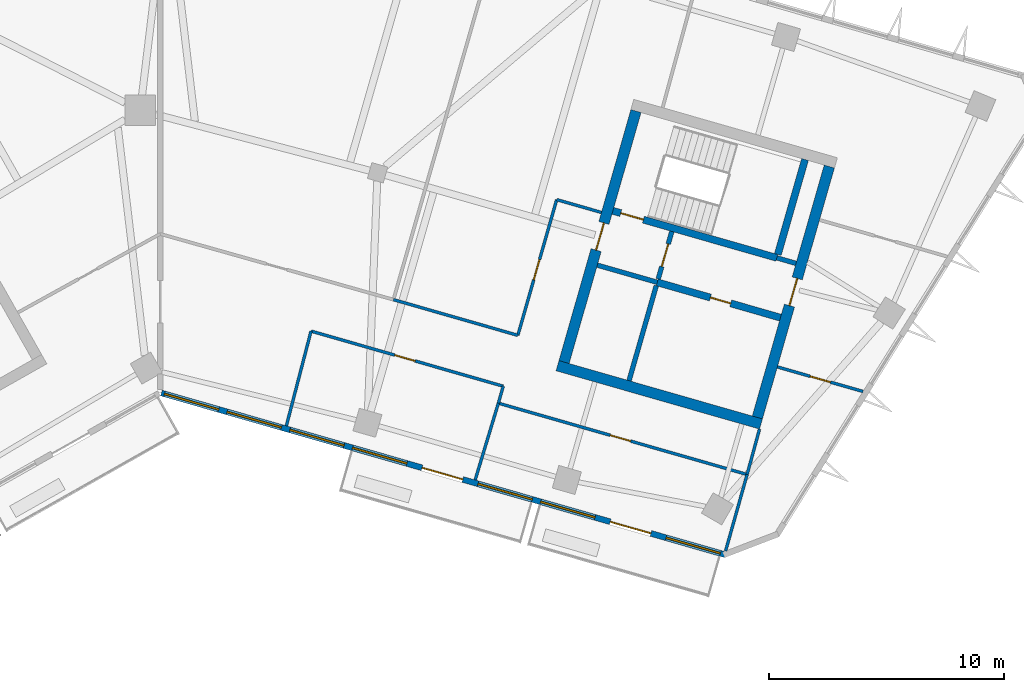
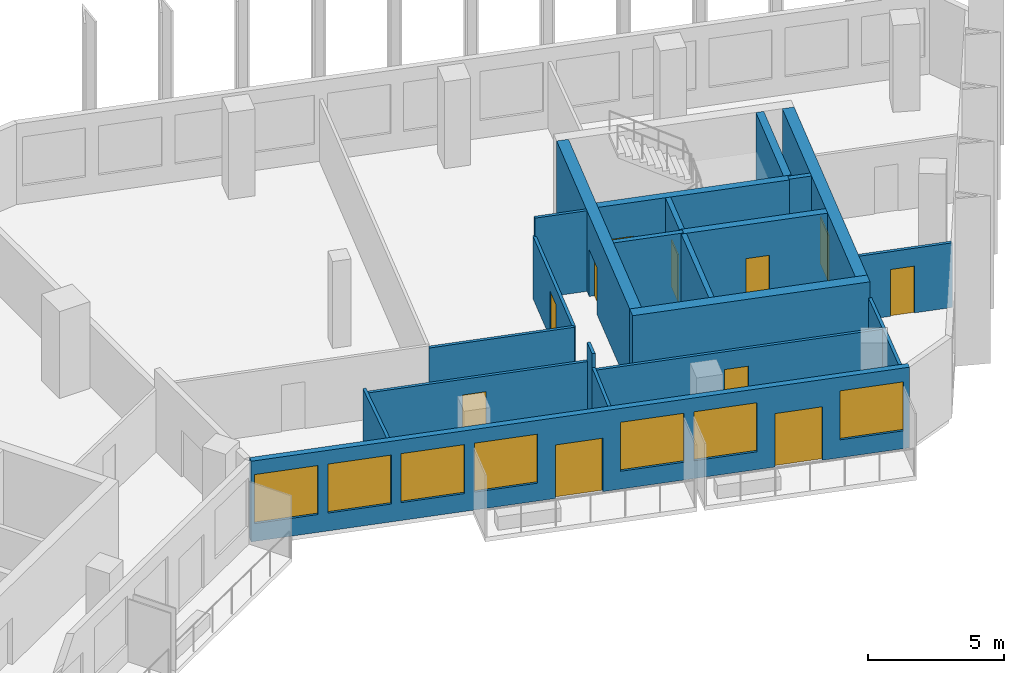
# One storey, part 7 of 12: 22 walls, 11 doors, 7 windows, 18 openings.
"""IFC4 building model written with IfcOpenShell, lengths in metres."""

import ifcopenshell
import ifcopenshell.guid

model = None  # the IFC model being written
_history = None  # IfcOwnerHistory: only IFC2X3 demands one
_inside = {}  # id of a spatial element -> (the spatial element, [elements in it])
_under = {}  # id of a project, library or spatial element -> (it, [spatial elements below it])
_declared = {}  # id of a project -> (the project, [libraries it declares])
_typed = {}  # id of a type object -> (the type object, [elements of that type])
_made_of = {}  # id of a material, layer set ... -> (it, [elements and type objects made of it])


def new_model(schema):
    """Start an empty IFC model of exactly this schema.

    Asked for "IFC4X3", IfcOpenShell would pick the latest addendum, in which some entities
    have other attributes; the version numbers below select the first issue.
    IFC2X3 requires an IfcOwnerHistory on every rooted entity: one is made here for all.
    """
    global model, _history
    if schema == "IFC4X3":
        model = ifcopenshell.file(schema_version=(4, 3, 0, 0))
    else:
        model = ifcopenshell.file(schema=schema)
    _inside.clear()
    _under.clear()
    _declared.clear()
    _typed.clear()
    _made_of.clear()
    _history = None
    if model.schema == "IFC2X3":
        org = make("IfcOrganization", Name="unknown")
        user = make(
            "IfcPersonAndOrganization",
            ThePerson=make("IfcPerson", FamilyName="unknown"),
            TheOrganization=org,
        )
        app = make(
            "IfcApplication",
            ApplicationDeveloper=org,
            Version="unknown",
            ApplicationFullName="unknown",
            ApplicationIdentifier="unknown",
        )
        _history = make(
            "IfcOwnerHistory",
            OwningUser=user,
            OwningApplication=app,
            ChangeAction="ADDED",
            CreationDate=0,
        )
    return model


def make(cls, **values):
    """One entity of the class cls with the attributes given. An attribute that is None is left unset."""
    return model.create_entity(
        cls, **{name: value for name, value in values.items() if value is not None}
    )


def rooted(cls, **values):
    """An entity with a GlobalId (a new one), such as an element, a storey or a relation."""
    return make(cls, GlobalId=ifcopenshell.guid.new(), OwnerHistory=_history, **values)


def si_unit(unit_type, name, prefix=None):
    """IfcSIUnit, for example si_unit("LENGTHUNIT", "METRE", prefix="MILLI")."""
    return make("IfcSIUnit", UnitType=unit_type, Prefix=prefix, Name=name)


def assignment(units):
    """IfcUnitAssignment: the units of a project."""
    return None if units is None else make("IfcUnitAssignment", Units=units)


def point(xyz):
    """IfcCartesianPoint."""
    return None if xyz is None else make("IfcCartesianPoint", Coordinates=xyz)


def direction(xyz):
    """IfcDirection."""
    return None if xyz is None else make("IfcDirection", DirectionRatios=xyz)


def frame(location, z_axis=None, x_axis=None):
    """IfcAxis2Placement3D, a coordinate frame: its origin and axes. An axis left out is left unset."""
    return make(
        "IfcAxis2Placement3D",
        Location=point(location),
        Axis=direction(z_axis),
        RefDirection=direction(x_axis),
    )


def frame_2d(location, x_axis=None):
    """IfcAxis2Placement2D, a coordinate frame in the plane: its origin and x axis."""
    return make(
        "IfcAxis2Placement2D", Location=point(location), RefDirection=direction(x_axis)
    )


def origin():
    """The frame at (0, 0, 0) with its axes left unset."""
    return frame((0.0, 0.0, 0.0))


def place(relative_to, where):
    """IfcLocalPlacement: puts the frame where relative to a parent placement (None: the world)."""
    return make(
        "IfcLocalPlacement", PlacementRelTo=relative_to, RelativePlacement=where
    )


def context(
    kind, dimensions, precision=None, world=None, true_north=None, identifier=None
):
    """IfcGeometricRepresentationContext, for example the 3D "Model" context."""
    return make(
        "IfcGeometricRepresentationContext",
        ContextIdentifier=identifier,
        ContextType=kind,
        CoordinateSpaceDimension=dimensions,
        Precision=precision,
        WorldCoordinateSystem=world,
        TrueNorth=true_north,
    )


def subcontext(parent, identifier, kind, view, scale=None):
    """IfcGeometricRepresentationSubContext, for example "Body" below "Model"."""
    return make(
        "IfcGeometricRepresentationSubContext",
        ContextIdentifier=identifier,
        ContextType=kind,
        ParentContext=parent,
        TargetScale=scale,
        TargetView=view,
    )


def project(units=None, contexts=None):
    """IfcProject with its units and contexts."""
    return rooted(
        "IfcProject",
        Name="project",
        RepresentationContexts=contexts,
        UnitsInContext=assignment(units),
    )


def spatial(cls, under=None, at=None, **own):
    """A site, building, storey or space (cls), placed at a placement, below another one or the project."""
    s = rooted(cls, ObjectPlacement=at, **own)
    if under is not None:
        _under.setdefault(under.id(), (under, []))[1].append(s)
    return s


def profile(cls, at=None, kind="AREA", **sizes):
    """A parametric profile (cls). Its sizes go by their IFC names, for example OverallWidth=200.0."""
    return make(cls, ProfileType=kind, Position=at, **sizes)


def rectangle(**sizes):
    """IfcRectangleProfileDef."""
    return profile("IfcRectangleProfileDef", **sizes)


def extrude(swept, where, along, depth):
    """IfcExtrudedAreaSolid: the profile swept, set in the frame where, extruded along a direction by depth."""
    return make(
        "IfcExtrudedAreaSolid",
        SweptArea=swept,
        Position=where,
        ExtrudedDirection=direction(along),
        Depth=depth,
    )


def shape(context_of_items, identifier, shape_type, items):
    """IfcShapeRepresentation: the items that make up one representation, for example the "Body"."""
    return make(
        "IfcShapeRepresentation",
        ContextOfItems=context_of_items,
        RepresentationIdentifier=identifier,
        RepresentationType=shape_type,
        Items=items,
    )


def material(Name=None, Category=None):
    """IfcMaterial."""
    return make("IfcMaterial", Name=Name, Category=Category)


def layer(
    of_material, thickness, ventilated=None, Name=None, Category=None, Priority=None
):
    """IfcMaterialLayer: one layer of a wall or slab, of a material (None: an air gap)."""
    return make(
        "IfcMaterialLayer",
        Material=of_material,
        LayerThickness=thickness,
        IsVentilated=ventilated,
        Name=Name,
        Category=Category,
        Priority=Priority,
    )


def layer_set(layers, Name=None):
    """IfcMaterialLayerSet."""
    return make("IfcMaterialLayerSet", MaterialLayers=layers, LayerSetName=Name)


def made_of(thing, what):
    """Note that an element or type object is made of a material, layer set ...; save() writes the relation."""
    if what is not None:
        _made_of.setdefault(what.id(), (what, []))[1].append(thing)
    return thing


def type_object(cls, material=None, **own):
    """A type object (cls), such as IfcWallType, which elements share."""
    return made_of(rooted(cls, **own), material)


def element(
    cls,
    number,
    at=None,
    inside=None,
    cuts=None,
    type_object=None,
    material=None,
    context=None,
    identifier="Body",
    shape_type=None,
    held_by="IfcProductDefinitionShape",
    body=None,
    shapes=None,
    **own,
):
    """One element of the class cls, such as IfcWall. Its Tag is "e" and its number.

    at: its placement. inside: the storey or other place that contains it. cuts: it is an
    opening in that element (IfcRelVoidsElement). A single representation is given by context,
    identifier, shape_type and body (its items); several are given by shapes. held_by: the class
    of the entity that holds the representations. save() writes the other relations.
    """
    e = rooted(cls, Tag="e%d" % number, ObjectPlacement=at, **own)
    if body is not None:
        shapes = [shape(context, identifier, shape_type, body)]
    if shapes is not None:
        e.Representation = make(held_by, Representations=shapes)
    if inside is not None:
        _inside.setdefault(inside.id(), (inside, []))[1].append(e)
    if cuts is not None:
        rooted(
            "IfcRelVoidsElement", RelatingBuildingElement=cuts, RelatedOpeningElement=e
        )
    if type_object is not None:
        _typed.setdefault(type_object.id(), (type_object, []))[1].append(e)
    return made_of(e, material)


def fill(opening, filler):
    """IfcRelFillsElement: the door or window that sits in an opening."""
    return rooted(
        "IfcRelFillsElement",
        RelatingOpeningElement=opening,
        RelatedBuildingElement=filler,
    )


def aggregate(whole, parts):
    """IfcRelAggregates: a whole, such as a stair, and the parts it consists of."""
    return rooted("IfcRelAggregates", RelatingObject=whole, RelatedObjects=parts)


def save(model, path):
    """Write the relations noted so far, then the file.

    IfcRelAggregates (storeys below a building ...), IfcRelContainedInSpatialStructure (elements
    in a storey), IfcRelDefinesByType, IfcRelAssociatesMaterial and IfcRelDeclares: one each for
    every whole, place, type object, material and project.
    """
    for whole, parts in _under.values():
        aggregate(whole, parts)
    for where, things in _inside.values():
        rooted(
            "IfcRelContainedInSpatialStructure",
            RelatedElements=things,
            RelatingStructure=where,
        )
    for kind, things in _typed.values():
        rooted("IfcRelDefinesByType", RelatedObjects=things, RelatingType=kind)
    for what, things in _made_of.values():
        rooted("IfcRelAssociatesMaterial", RelatedObjects=things, RelatingMaterial=what)
    for by, libraries in _declared.values():
        rooted("IfcRelDeclares", RelatingContext=by, RelatedDefinitions=libraries)
    model.write(path)


model = new_model("IFC4")

# Units and contexts
model_context = context("Model", 3, precision=1e-05, world=origin(), true_north=direction((0.0, 1.0)))
body_context = subcontext(model_context, "Body", "Model", "MODEL_VIEW")
ifc_project = project(units=[si_unit("LENGTHUNIT", "METRE"), si_unit("AREAUNIT", "SQUARE_METRE"), si_unit("VOLUMEUNIT", "CUBIC_METRE"), si_unit("PLANEANGLEUNIT", "RADIAN"), si_unit("MASSUNIT", "GRAM", prefix="KILO")], contexts=[model_context])

# Site, building, storey
site_placement = place(None, origin())
site = spatial("IfcSite", under=ifc_project, at=site_placement, CompositionType="ELEMENT")
building_placement = place(site_placement, origin())
building = spatial("IfcBuilding", under=site, at=building_placement, Name="Binnacle Exchange Tower", CompositionType="ELEMENT")
storey_placement = place(building_placement, frame((0.0, 0.0, 215.300048828125)))
storey = spatial("IfcBuildingStorey", under=building, at=storey_placement, Name="L47", CompositionType="ELEMENT", Elevation=215.300048828125)

# Wall, opening, door
ifc_material_1 = material(Name="Concrete C70/85", Category="concrete")
ifc_layer_1 = layer(ifc_material_1, 0.300048828125)
ifc_layer_set_1 = layer_set([ifc_layer_1], Name="Core wall - front 300")
wall_type_1 = type_object("IfcWallType", Name="Core wall - front 300", PredefinedType="SOLIDWALL", material=ifc_layer_set_1)
wall_1_placement = place(storey_placement, frame((21.130859375, 52.6923828125, 0.0), z_axis=(0.0, 0.0, 1.0), x_axis=(0.961261488075, -0.275638080722, 0.0)))
wall_1 = element("IfcWall", 1, at=wall_1_placement, inside=storey, type_object=wall_type_1, Name="Core wall CRWD3", PredefinedType="SOLIDWALL", context=body_context, shape_type="SweptSolid", body=[
    extrude(rectangle(XDim=5.449951171875, YDim=0.300048828125, at=frame_2d((2.72509765625, 0.0))), origin(), (0.0, 0.0, 1.0), 3.619873046875),
])
opening_1_placement = place(wall_1_placement, frame((2.35009765625, 0.0, 0.0)))
opening_1 = element("IfcOpeningElement", 2, at=opening_1_placement, cuts=wall_1, Name="Opening DD10", PredefinedType="OPENING", context=body_context, shape_type="SweptSolid", body=[
    extrude(rectangle(XDim=0.89990234375, YDim=2.10009765625, at=frame_2d((0.449951171875, 1.050048828125))), frame((0.0, 0.159912109375, 0.0), z_axis=(0.0, -1.0, 0.0), x_axis=(1.0, 0.0, 0.0)), (0.0, 0.0, 1.0), 0.320068359375),
])
ifc_material_2 = material(Name="Steel door leaf", Category="steel")
door_type_1 = type_object("IfcDoorType", Name="Fire door 900", OperationType="NOTDEFINED", PredefinedType="DOOR", material=ifc_material_2)
door_1_placement = place(opening_1_placement, frame((0.89990234375, 0.0, 0.0), z_axis=(0.0, 0.0, 1.0), x_axis=(-1.0, 0.0, 0.0)))
door_1 = element("IfcDoor", 3, at=door_1_placement, inside=storey, type_object=door_type_1, Name="Core room door PANTRY", OperationType="SINGLE_SWING_LEFT", OverallHeight=2.10009765625, OverallWidth=0.89990234375, PredefinedType="DOOR", context=body_context, shape_type="SweptSolid", body=[
    extrude(rectangle(XDim=0.89990234375, YDim=2.10009765625, at=frame_2d((0.449951171875, 1.050048828125))), frame((0.0, 0.02490234375, 0.0), z_axis=(0.0, -1.0, 0.0), x_axis=(1.0, 0.0, 0.0)), (0.0, 0.0, 1.0), 0.050048828125),
])
fill(opening_1, door_1)

# Wall
ifc_layer_2 = layer(ifc_material_1, 0.449951171875)
ifc_layer_set_2 = layer_set([ifc_layer_2], Name="Core wall - outer 450")
wall_type_2 = type_object("IfcWallType", Name="Core wall - outer 450", PredefinedType="SOLIDWALL", material=ifc_layer_set_2)
wall_2_placement = place(storey_placement, frame((16.889892578125, 49.149169921875, 0.0), z_axis=(0.0, 0.0, 1.0), x_axis=(0.96126248289, -0.275634611374, 0.0)))
element("IfcWall", 4, at=wall_2_placement, inside=storey, type_object=wall_type_2, Name="Core wall CRWD1", PredefinedType="SOLIDWALL", context=body_context, shape_type="SweptSolid", body=[
    extrude(rectangle(XDim=9.0, YDim=0.449951171875, at=frame_2d((4.5, 0.0))), origin(), (0.0, 0.0, 1.0), 3.619873046875),
])

# Wall, opening, door
wall_3_placement = place(storey_placement, frame((17.168212890625, 49.303466796875, 0.0), z_axis=(0.0, 0.0, 1.0), x_axis=(0.275638974822, 0.961261231695, 0.0)))
wall_3 = element("IfcWall", 5, at=wall_3_placement, inside=storey, type_object=wall_type_2, Name="Core wall CRWD7", PredefinedType="SOLIDWALL", context=body_context, shape_type="SweptSolid", body=[
    extrude(rectangle(XDim=11.099853515625, YDim=0.449951171875, at=frame_2d((5.5498046875, 0.0))), origin(), (0.0, 0.0, 1.0), 3.619873046875),
])
opening_2_placement = place(wall_3_placement, frame((4.9501953125, 0.0, 0.0)))
opening_2 = element("IfcOpeningElement", 6, at=opening_2_placement, cuts=wall_3, Name="Opening DD5", PredefinedType="OPENING", context=body_context, shape_type="SweptSolid", body=[
    extrude(rectangle(XDim=1.199951171875, YDim=2.10009765625, at=frame_2d((0.60009765625, 1.050048828125))), frame((0.0, 0.23486328125, 0.0), z_axis=(0.0, -1.0, 0.0), x_axis=(1.0, 0.0, 0.0)), (0.0, 0.0, 1.0), 0.469970703125),
])
door_type_2 = type_object("IfcDoorType", Name="Fire door 1200", OperationType="NOTDEFINED", PredefinedType="DOOR", material=ifc_material_2)
door_2_placement = place(opening_2_placement, origin())
door_2 = element("IfcDoor", 7, at=door_2_placement, inside=storey, type_object=door_type_2, Name="Vestibule exit door VEST-W", OperationType="SINGLE_SWING_RIGHT", OverallHeight=2.10009765625, OverallWidth=1.199951171875, PredefinedType="DOOR", context=body_context, shape_type="SweptSolid", body=[
    extrude(rectangle(XDim=1.199951171875, YDim=2.10009765625, at=frame_2d((0.60009765625, 1.050048828125))), frame((0.0, 0.02490234375, 0.0), z_axis=(0.0, -1.0, 0.0), x_axis=(1.0, 0.0, 0.0)), (0.0, 0.0, 1.0), 0.050048828125),
])
fill(opening_2, door_2)

wall_4_placement = place(storey_placement, frame((25.386962890625, 46.94677734375, 0.0), z_axis=(0.0, 0.0, 1.0), x_axis=(0.275638974822, 0.961261231695, 0.0)))
wall_4 = element("IfcWall", 8, at=wall_4_placement, inside=storey, type_object=wall_type_2, Name="Core wall CRWD12", PredefinedType="SOLIDWALL", context=body_context, shape_type="SweptSolid", body=[
    extrude(rectangle(XDim=11.099853515625, YDim=0.449951171875, at=frame_2d((5.5498046875, 0.0))), origin(), (0.0, 0.0, 1.0), 3.619873046875),
])
opening_3_placement = place(wall_4_placement, frame((4.949951171875, 0.0, 0.0)))
opening_3 = element("IfcOpeningElement", 9, at=opening_3_placement, cuts=wall_4, Name="Opening DD6", PredefinedType="OPENING", context=body_context, shape_type="SweptSolid", body=[
    extrude(rectangle(XDim=1.199951171875, YDim=2.10009765625, at=frame_2d((0.60009765625, 1.050048828125))), frame((0.0, 0.23486328125, 0.0), z_axis=(0.0, -1.0, 0.0), x_axis=(1.0, 0.0, 0.0)), (0.0, 0.0, 1.0), 0.469970703125),
])
door_3_placement = place(opening_3_placement, frame((1.199951171875, 0.0, 0.0), z_axis=(0.0, 0.0, 1.0), x_axis=(-1.0, 0.0, 0.0)))
door_3 = element("IfcDoor", 10, at=door_3_placement, inside=storey, type_object=door_type_2, Name="Core passage exit door", OperationType="SINGLE_SWING_RIGHT", OverallHeight=2.10009765625, OverallWidth=1.199951171875, PredefinedType="DOOR", context=body_context, shape_type="SweptSolid", body=[
    extrude(rectangle(XDim=1.199951171875, YDim=2.10009765625, at=frame_2d((0.60009765625, 1.050048828125))), frame((0.0, 0.02490234375, 0.0), z_axis=(0.0, -1.0, 0.0), x_axis=(1.0, 0.0, 0.0)), (0.0, 0.0, 1.0), 0.050048828125),
])
fill(opening_3, door_3)

ifc_layer_3 = layer(ifc_material_1, 0.300048828125)
ifc_layer_set_3 = layer_set([ifc_layer_3], Name="Core wall - stair 300")
wall_type_3 = type_object("IfcWallType", Name="Core wall - stair 300", PredefinedType="SOLIDWALL", material=ifc_layer_set_3)
wall_5_placement = place(storey_placement, frame((19.2451171875, 55.72998046875, 0.0), z_axis=(0.0, 0.0, 1.0), x_axis=(0.961263007877, -0.275632780503, 0.0)))
wall_5 = element("IfcWall", 11, at=wall_5_placement, inside=storey, type_object=wall_type_3, Name="Core wall CRWD4", PredefinedType="SOLIDWALL", context=body_context, shape_type="SweptSolid", body=[
    extrude(rectangle(XDim=7.249755859375, YDim=0.300048828125, at=frame_2d((3.625, 0.0))), origin(), (0.0, 0.0, 1.0), 3.619873046875),
])
opening_4_placement = place(wall_5_placement, frame((0.35009765625, 0.0, 0.0)))
opening_4 = element("IfcOpeningElement", 12, at=opening_4_placement, cuts=wall_5, Name="Opening DD1", PredefinedType="OPENING", context=body_context, shape_type="SweptSolid", body=[
    extrude(rectangle(XDim=1.0, YDim=2.10009765625, at=frame_2d((0.5, 1.050048828125))), frame((0.0, 0.159912109375, 0.0), z_axis=(0.0, -1.0, 0.0), x_axis=(1.0, 0.0, 0.0)), (0.0, 0.0, 1.0), 0.320068359375),
])
door_type_3 = type_object("IfcDoorType", Name="Fire door 1000", OperationType="NOTDEFINED", PredefinedType="DOOR", material=ifc_material_2)
door_4_placement = place(opening_4_placement, origin())
door_4 = element("IfcDoor", 13, at=door_4_placement, inside=storey, type_object=door_type_3, Name="Stair door ST-D1", OperationType="SINGLE_SWING_LEFT", OverallHeight=2.10009765625, OverallWidth=1.0, PredefinedType="DOOR", context=body_context, shape_type="SweptSolid", body=[
    extrude(rectangle(XDim=1.0, YDim=2.10009765625, at=frame_2d((0.5, 1.050048828125))), frame((0.0, 0.02490234375, 0.0), z_axis=(0.0, -1.0, 0.0), x_axis=(1.0, 0.0, 0.0)), (0.0, 0.0, 1.0), 0.050048828125),
])
fill(opening_4, door_4)

# Wall
wall_6_placement = place(storey_placement, frame((26.255615234375, 53.875732421875, 0.0), z_axis=(0.0, 0.0, 1.0), x_axis=(0.275588560745, 0.96127568636, 0.0)))
element("IfcWall", 14, at=wall_6_placement, inside=storey, type_object=wall_type_3, Name="Core wall CRWD11", PredefinedType="SOLIDWALL", context=body_context, shape_type="SweptSolid", body=[
    extrude(rectangle(XDim=4.199951171875, YDim=0.300048828125, at=frame_2d((2.10009765625, 0.0))), origin(), (0.0, 0.0, 1.0), 3.619873046875),
])

# Wall, openings, doors, windows
ifc_material_3 = material(Name="Bronze aluminium cladding", Category="aluminium")
ifc_layer_4 = layer(ifc_material_3, 0.25)
ifc_layer_set_4 = layer_set([ifc_layer_4], Name="External wall - window wall 250")
wall_type_4 = type_object("IfcWallType", Name="External wall - window wall 250", PredefinedType="STANDARD", material=ifc_layer_set_4)
wall_7_placement = place(storey_placement, frame((24.034423828125, 41.108154296875, 0.0), z_axis=(0.0, 0.0, 1.0), x_axis=(-0.96126060691, 0.275641153683, 0.0)))
wall_7 = element("IfcWall", 15, at=wall_7_placement, inside=storey, type_object=wall_type_4, Name="External wall EW-G02 L47", PredefinedType="STANDARD", context=body_context, shape_type="SweptSolid", body=[
    extrude(rectangle(XDim=24.95068359375, YDim=0.25, at=frame_2d((12.475341796875, 0.0))), origin(), (0.0, 0.0, 1.0), 3.619873046875),
])
opening_5_placement = place(wall_7_placement, frame((22.416259765625, 0.0, 0.800048828125)))
opening_5 = element("IfcOpeningElement", 16, at=opening_5_placement, cuts=wall_7, Name="Opening WR1", PredefinedType="OPENING", context=body_context, shape_type="SweptSolid", body=[
    extrude(rectangle(XDim=2.39990234375, YDim=2.199951171875, at=frame_2d((1.199951171875, 1.10009765625))), frame((0.0, 0.135009765625, 0.0), z_axis=(0.0, -1.0, 0.0), x_axis=(1.0, 0.0, 0.0)), (0.0, 0.0, 1.0), 0.27001953125),
])
opening_6_placement = place(wall_7_placement, frame((19.642822265625, 0.0, 0.800048828125)))
opening_6 = element("IfcOpeningElement", 17, at=opening_6_placement, cuts=wall_7, Name="Opening WR1", PredefinedType="OPENING", context=body_context, shape_type="SweptSolid", body=[
    extrude(rectangle(XDim=2.39990234375, YDim=2.199951171875, at=frame_2d((1.199951171875, 1.10009765625))), frame((0.0, 0.135009765625, 0.0), z_axis=(0.0, -1.0, 0.0), x_axis=(1.0, 0.0, 0.0)), (0.0, 0.0, 1.0), 0.27001953125),
])
opening_7_placement = place(wall_7_placement, frame((16.869384765625, 0.0, 0.800048828125)))
opening_7 = element("IfcOpeningElement", 18, at=opening_7_placement, cuts=wall_7, Name="Opening WR1", PredefinedType="OPENING", context=body_context, shape_type="SweptSolid", body=[
    extrude(rectangle(XDim=2.39990234375, YDim=2.199951171875, at=frame_2d((1.199951171875, 1.10009765625))), frame((0.0, 0.135009765625, 0.0), z_axis=(0.0, -1.0, 0.0), x_axis=(1.0, 0.0, 0.0)), (0.0, 0.0, 1.0), 0.27001953125),
])
opening_8_placement = place(wall_7_placement, frame((14.095947265625, 0.0, 0.800048828125)))
opening_8 = element("IfcOpeningElement", 19, at=opening_8_placement, cuts=wall_7, Name="Opening WR1", PredefinedType="OPENING", context=body_context, shape_type="SweptSolid", body=[
    extrude(rectangle(XDim=2.39990234375, YDim=2.199951171875, at=frame_2d((1.199951171875, 1.10009765625))), frame((0.0, 0.135009765625, 0.0), z_axis=(0.0, -1.0, 0.0), x_axis=(1.0, 0.0, 0.0)), (0.0, 0.0, 1.0), 0.27001953125),
])
opening_9_placement = place(wall_7_placement, frame((11.622314453125, 0.0, 0.0)))
opening_9 = element("IfcOpeningElement", 20, at=opening_9_placement, cuts=wall_7, Name="Opening D-FS13-06", PredefinedType="OPENING", context=body_context, shape_type="SweptSolid", body=[
    extrude(rectangle(XDim=1.800048828125, YDim=2.39990234375, at=frame_2d((0.89990234375, 1.199951171875))), frame((0.0, 0.135009765625, 0.0), z_axis=(0.0, -1.0, 0.0), x_axis=(1.0, 0.0, 0.0)), (0.0, 0.0, 1.0), 0.27001953125),
])
opening_10_placement = place(wall_7_placement, frame((8.548828125, 0.0, 0.800048828125)))
opening_10 = element("IfcOpeningElement", 21, at=opening_10_placement, cuts=wall_7, Name="Opening WR1", PredefinedType="OPENING", context=body_context, shape_type="SweptSolid", body=[
    extrude(rectangle(XDim=2.39990234375, YDim=2.199951171875, at=frame_2d((1.199951171875, 1.10009765625))), frame((0.0, 0.135009765625, 0.0), z_axis=(0.0, -1.0, 0.0), x_axis=(1.0, 0.0, 0.0)), (0.0, 0.0, 1.0), 0.27001953125),
])
opening_11_placement = place(wall_7_placement, frame((5.775390625, 0.0, 0.800048828125)))
opening_11 = element("IfcOpeningElement", 22, at=opening_11_placement, cuts=wall_7, Name="Opening WR1", PredefinedType="OPENING", context=body_context, shape_type="SweptSolid", body=[
    extrude(rectangle(XDim=2.39990234375, YDim=2.199951171875, at=frame_2d((1.199951171875, 1.10009765625))), frame((0.0, 0.135009765625, 0.0), z_axis=(0.0, -1.0, 0.0), x_axis=(1.0, 0.0, 0.0)), (0.0, 0.0, 1.0), 0.27001953125),
])
opening_12_placement = place(wall_7_placement, frame((3.302001953125, 0.0, 0.0)))
opening_12 = element("IfcOpeningElement", 23, at=opening_12_placement, cuts=wall_7, Name="Opening D-FS13-07", PredefinedType="OPENING", context=body_context, shape_type="SweptSolid", body=[
    extrude(rectangle(XDim=1.800048828125, YDim=2.39990234375, at=frame_2d((0.89990234375, 1.199951171875))), frame((0.0, 0.135009765625, 0.0), z_axis=(0.0, -1.0, 0.0), x_axis=(1.0, 0.0, 0.0)), (0.0, 0.0, 1.0), 0.27001953125),
])
opening_13_placement = place(wall_7_placement, frame((0.228515625, 0.0, 0.800048828125)))
opening_13 = element("IfcOpeningElement", 24, at=opening_13_placement, cuts=wall_7, Name="Opening WR1", PredefinedType="OPENING", context=body_context, shape_type="SweptSolid", body=[
    extrude(rectangle(XDim=2.39990234375, YDim=2.199951171875, at=frame_2d((1.199951171875, 1.10009765625))), frame((0.0, 0.135009765625, 0.0), z_axis=(0.0, -1.0, 0.0), x_axis=(1.0, 0.0, 0.0)), (0.0, 0.0, 1.0), 0.27001953125),
])
ifc_material_4 = material(Name="Bronze anodised aluminium frame", Category="aluminium")
door_type_4 = type_object("IfcDoorType", Name="DB DOOR 1800x2400", OperationType="DOUBLE_DOOR_SINGLE_SWING", PredefinedType="DOOR", material=ifc_material_4)
door_5_placement = place(opening_9_placement, origin())
door_5 = element("IfcDoor", 25, at=door_5_placement, inside=storey, type_object=door_type_4, Name="Door D-FS13-06 L47", OperationType="DOUBLE_DOOR_SINGLE_SWING", OverallHeight=2.39990234375, OverallWidth=1.800048828125, PredefinedType="DOOR", context=body_context, shape_type="SweptSolid", body=[
    extrude(rectangle(XDim=1.800048828125, YDim=2.39990234375, at=frame_2d((0.89990234375, 1.199951171875))), frame((0.0, 0.02490234375, 0.0), z_axis=(0.0, -1.0, 0.0), x_axis=(1.0, 0.0, 0.0)), (0.0, 0.0, 1.0), 0.050048828125),
])
fill(opening_9, door_5)
door_6_placement = place(opening_12_placement, origin())
door_6 = element("IfcDoor", 26, at=door_6_placement, inside=storey, type_object=door_type_4, Name="Door D-FS13-07 L47", OperationType="DOUBLE_DOOR_SINGLE_SWING", OverallHeight=2.39990234375, OverallWidth=1.800048828125, PredefinedType="DOOR", context=body_context, shape_type="SweptSolid", body=[
    extrude(rectangle(XDim=1.800048828125, YDim=2.39990234375, at=frame_2d((0.89990234375, 1.199951171875))), frame((0.0, 0.02490234375, 0.0), z_axis=(0.0, -1.0, 0.0), x_axis=(1.0, 0.0, 0.0)), (0.0, 0.0, 1.0), 0.050048828125),
])
fill(opening_12, door_6)
window_type = type_object("IfcWindowType", Name="WR1 WINDOW 2400x2200", PartitioningType="SINGLE_PANEL", PredefinedType="WINDOW", material=ifc_material_4)
window_1_placement = place(opening_5_placement, origin())
window_1 = element("IfcWindow", 27, at=window_1_placement, inside=storey, type_object=window_type, Name="Window WR1 L47", OverallHeight=2.199951171875, OverallWidth=2.39990234375, PartitioningType="SINGLE_PANEL", PredefinedType="WINDOW", context=body_context, shape_type="SweptSolid", body=[
    extrude(rectangle(XDim=2.39990234375, YDim=2.199951171875, at=frame_2d((1.199951171875, 1.10009765625))), frame((0.0, 0.030029296875, 0.0), z_axis=(0.0, -1.0, 0.0), x_axis=(1.0, 0.0, 0.0)), (0.0, 0.0, 1.0), 0.06005859375),
])
fill(opening_5, window_1)
window_2_placement = place(opening_6_placement, origin())
window_2 = element("IfcWindow", 28, at=window_2_placement, inside=storey, type_object=window_type, Name="Window WR1 L47", OverallHeight=2.199951171875, OverallWidth=2.39990234375, PartitioningType="SINGLE_PANEL", PredefinedType="WINDOW", context=body_context, shape_type="SweptSolid", body=[
    extrude(rectangle(XDim=2.39990234375, YDim=2.199951171875, at=frame_2d((1.199951171875, 1.10009765625))), frame((0.0, 0.030029296875, 0.0), z_axis=(0.0, -1.0, 0.0), x_axis=(1.0, 0.0, 0.0)), (0.0, 0.0, 1.0), 0.06005859375),
])
fill(opening_6, window_2)
window_3_placement = place(opening_7_placement, origin())
window_3 = element("IfcWindow", 29, at=window_3_placement, inside=storey, type_object=window_type, Name="Window WR1 L47", OverallHeight=2.199951171875, OverallWidth=2.39990234375, PartitioningType="SINGLE_PANEL", PredefinedType="WINDOW", context=body_context, shape_type="SweptSolid", body=[
    extrude(rectangle(XDim=2.39990234375, YDim=2.199951171875, at=frame_2d((1.199951171875, 1.10009765625))), frame((0.0, 0.030029296875, 0.0), z_axis=(0.0, -1.0, 0.0), x_axis=(1.0, 0.0, 0.0)), (0.0, 0.0, 1.0), 0.06005859375),
])
fill(opening_7, window_3)
window_4_placement = place(opening_8_placement, origin())
window_4 = element("IfcWindow", 30, at=window_4_placement, inside=storey, type_object=window_type, Name="Window WR1 L47", OverallHeight=2.199951171875, OverallWidth=2.39990234375, PartitioningType="SINGLE_PANEL", PredefinedType="WINDOW", context=body_context, shape_type="SweptSolid", body=[
    extrude(rectangle(XDim=2.39990234375, YDim=2.199951171875, at=frame_2d((1.199951171875, 1.10009765625))), frame((0.0, 0.030029296875, 0.0), z_axis=(0.0, -1.0, 0.0), x_axis=(1.0, 0.0, 0.0)), (0.0, 0.0, 1.0), 0.06005859375),
])
fill(opening_8, window_4)
window_5_placement = place(opening_10_placement, origin())
window_5 = element("IfcWindow", 31, at=window_5_placement, inside=storey, type_object=window_type, Name="Window WR1 L47", OverallHeight=2.199951171875, OverallWidth=2.39990234375, PartitioningType="SINGLE_PANEL", PredefinedType="WINDOW", context=body_context, shape_type="SweptSolid", body=[
    extrude(rectangle(XDim=2.39990234375, YDim=2.199951171875, at=frame_2d((1.199951171875, 1.10009765625))), frame((0.0, 0.030029296875, 0.0), z_axis=(0.0, -1.0, 0.0), x_axis=(1.0, 0.0, 0.0)), (0.0, 0.0, 1.0), 0.06005859375),
])
fill(opening_10, window_5)
window_6_placement = place(opening_11_placement, origin())
window_6 = element("IfcWindow", 32, at=window_6_placement, inside=storey, type_object=window_type, Name="Window WR1 L47", OverallHeight=2.199951171875, OverallWidth=2.39990234375, PartitioningType="SINGLE_PANEL", PredefinedType="WINDOW", context=body_context, shape_type="SweptSolid", body=[
    extrude(rectangle(XDim=2.39990234375, YDim=2.199951171875, at=frame_2d((1.199951171875, 1.10009765625))), frame((0.0, 0.030029296875, 0.0), z_axis=(0.0, -1.0, 0.0), x_axis=(1.0, 0.0, 0.0)), (0.0, 0.0, 1.0), 0.06005859375),
])
fill(opening_11, window_6)
window_7_placement = place(opening_13_placement, origin())
window_7 = element("IfcWindow", 33, at=window_7_placement, inside=storey, type_object=window_type, Name="Window WR1 L47", OverallHeight=2.199951171875, OverallWidth=2.39990234375, PartitioningType="SINGLE_PANEL", PredefinedType="WINDOW", context=body_context, shape_type="SweptSolid", body=[
    extrude(rectangle(XDim=2.39990234375, YDim=2.199951171875, at=frame_2d((1.199951171875, 1.10009765625))), frame((0.0, 0.030029296875, 0.0), z_axis=(0.0, -1.0, 0.0), x_axis=(1.0, 0.0, 0.0)), (0.0, 0.0, 1.0), 0.06005859375),
])
fill(opening_13, window_7)

# Wall, opening, door
ifc_material_5 = material(Name="Masonry block wall", Category="masonry")
ifc_layer_5 = layer(ifc_material_5, 0.199951171875)
ifc_layer_set_5 = layer_set([ifc_layer_5], Name="Fire wall - vestibule 200")
wall_type_5 = type_object("IfcWallType", Name="Fire wall - vestibule 200", PredefinedType="PARTITIONING", material=ifc_layer_set_5)
wall_8_placement = place(storey_placement, frame((21.172119140625, 52.836669921875, 0.0), z_axis=(0.0, 0.0, 1.0), x_axis=(0.275657676022, 0.961255868981, 0.0)))
wall_8 = element("IfcWall", 34, at=wall_8_placement, inside=storey, type_object=wall_type_5, Name="Core wall CRWD9", PredefinedType="PARTITIONING", context=body_context, shape_type="SweptSolid", body=[
    extrude(rectangle(XDim=2.099853515625, YDim=0.199951171875, at=frame_2d((1.0498046875, 0.0))), origin(), (0.0, 0.0, 1.0), 3.619873046875),
])
opening_14_placement = place(wall_8_placement, frame((0.550048828125, 0.0, 0.0)))
opening_14 = element("IfcOpeningElement", 35, at=opening_14_placement, cuts=wall_8, Name="Opening DD3", PredefinedType="OPENING", context=body_context, shape_type="SweptSolid", body=[
    extrude(rectangle(XDim=1.0, YDim=2.10009765625, at=frame_2d((0.5, 1.050048828125))), frame((0.0, 0.10986328125, 0.0), z_axis=(0.0, -1.0, 0.0), x_axis=(1.0, 0.0, 0.0)), (0.0, 0.0, 1.0), 0.219970703125),
])
door_7_placement = place(opening_14_placement, origin())
door_7 = element("IfcDoor", 36, at=door_7_placement, inside=storey, type_object=door_type_3, Name="Vestibule door VEST-W", OperationType="SINGLE_SWING_RIGHT", OverallHeight=2.10009765625, OverallWidth=1.0, PredefinedType="DOOR", context=body_context, shape_type="SweptSolid", body=[
    extrude(rectangle(XDim=1.0, YDim=2.10009765625, at=frame_2d((0.5, 1.050048828125))), frame((0.0, 0.02490234375, 0.0), z_axis=(0.0, -1.0, 0.0), x_axis=(1.0, 0.0, 0.0)), (0.0, 0.0, 1.0), 0.050048828125),
])
fill(opening_14, door_7)

# Wall
ifc_material_6 = material(Name="Gypsum partition")
ifc_layer_6 = layer(ifc_material_6, 0.125)
ifc_layer_set_6 = layer_set([ifc_layer_6], Name="Partition 125")
wall_type_6 = type_object("IfcWallType", Name="Partition 125", PredefinedType="PARTITIONING", material=ifc_layer_set_6)
wall_9_placement = place(storey_placement, frame((5.364013671875, 46.592041015625, 0.0), z_axis=(0.0, 0.0, 1.0), x_axis=(0.25210423577, 0.967700084895, 0.0)))
element("IfcWall", 37, at=wall_9_placement, inside=storey, type_object=wall_type_6, Name="Partition W22", PredefinedType="PARTITIONING", context=body_context, shape_type="SweptSolid", body=[
    extrude(rectangle(XDim=4.161376953125, YDim=0.125, at=frame_2d((2.08056640625, 0.0))), origin(), (0.0, 0.0, 1.0), 2.988037109375),
])

# Wall, opening, door
wall_10_placement = place(storey_placement, frame((6.4130859375, 50.618896484375, 0.0), z_axis=(0.0, 0.0, 1.0), x_axis=(0.961251402136, -0.275673252041, 0.0)))
wall_10 = element("IfcWall", 38, at=wall_10_placement, inside=storey, type_object=wall_type_6, Name="Partition W23", PredefinedType="PARTITIONING", context=body_context, shape_type="SweptSolid", body=[
    extrude(rectangle(XDim=8.499267578125, YDim=0.125, at=frame_2d((4.24951171875, 0.0))), origin(), (0.0, 0.0, 1.0), 2.800048828125),
])
opening_15_placement = place(wall_10_placement, frame((3.699951171875, 0.0, 0.0)))
opening_15 = element("IfcOpeningElement", 39, at=opening_15_placement, cuts=wall_10, Name="Opening DL45-10", PredefinedType="OPENING", context=body_context, shape_type="SweptSolid", body=[
    extrude(rectangle(XDim=0.89990234375, YDim=2.10009765625, at=frame_2d((0.449951171875, 1.050048828125))), frame((0.0, 0.072509765625, 0.0), z_axis=(0.0, -1.0, 0.0), x_axis=(1.0, 0.0, 0.0)), (0.0, 0.0, 1.0), 0.14501953125),
])
ifc_material_7 = material(Name="Timber door leaf", Category="wood")
door_type_5 = type_object("IfcDoorType", Name="Door 900", OperationType="NOTDEFINED", PredefinedType="DOOR", material=ifc_material_7)
door_8_placement = place(opening_15_placement, frame((0.89990234375, 0.0, 0.0), z_axis=(0.0, 0.0, 1.0), x_axis=(-1.0, 0.0, 0.0)))
door_8 = element("IfcDoor", 40, at=door_8_placement, inside=storey, type_object=door_type_5, Name="Door DL45-10", OperationType="SINGLE_SWING_RIGHT", OverallHeight=2.10009765625, OverallWidth=0.89990234375, PredefinedType="DOOR", context=body_context, shape_type="SweptSolid", body=[
    extrude(rectangle(XDim=0.89990234375, YDim=2.10009765625, at=frame_2d((0.449951171875, 1.050048828125))), frame((0.0, 0.02490234375, 0.0), z_axis=(0.0, -1.0, 0.0), x_axis=(1.0, 0.0, 0.0)), (0.0, 0.0, 1.0), 0.050048828125),
])
fill(opening_15, door_8)

# Walls
wall_11_placement = place(storey_placement, frame((9.9169921875, 51.955078125, 0.0), z_axis=(0.0, 0.0, 1.0), x_axis=(0.961258850611, -0.275647278458, 0.0)))
element("IfcWall", 41, at=wall_11_placement, inside=storey, type_object=wall_type_6, Name="Partition W25", PredefinedType="PARTITIONING", context=body_context, shape_type="SweptSolid", body=[
    extrude(rectangle(XDim=5.500244140625, YDim=0.125, at=frame_2d((2.75, 0.0))), origin(), (0.0, 0.0, 1.0), 2.800048828125),
])
wall_12_placement = place(storey_placement, frame((13.389892578125, 44.2900390625, 0.0), z_axis=(0.0, 0.0, 1.0), x_axis=(0.289389501276, 0.957211427299, 0.0)))
element("IfcWall", 42, at=wall_12_placement, inside=storey, type_object=wall_type_6, Name="Partition W26", PredefinedType="PARTITIONING", context=body_context, shape_type="SweptSolid", body=[
    extrude(rectangle(XDim=3.410888671875, YDim=0.125, at=frame_2d((1.70556640625, 0.0))), origin(), (0.0, 0.0, 1.0), 2.993896484375),
])
wall_13_placement = place(storey_placement, frame((14.376953125, 47.554931640625, 0.0), z_axis=(0.0, 0.0, 1.0), x_axis=(0.274807134575, 0.961499370144, 0.0)))
element("IfcWall", 43, at=wall_13_placement, inside=storey, type_object=wall_type_6, Name="Partition W27", PredefinedType="PARTITIONING", context=body_context, shape_type="SweptSolid", body=[
    extrude(rectangle(XDim=0.749755859375, YDim=0.125, at=frame_2d((0.375, 0.0))), origin(), (0.0, 0.0, 1.0), 3.619873046875),
])

# Wall, opening, door
wall_14_placement = place(storey_placement, frame((14.376953125, 47.554931640625, 0.0), z_axis=(0.0, 0.0, 1.0), x_axis=(0.961263044958, -0.275632651182, 0.0)))
wall_14 = element("IfcWall", 44, at=wall_14_placement, inside=storey, type_object=wall_type_6, Name="Partition W28", PredefinedType="PARTITIONING", context=body_context, shape_type="SweptSolid", body=[
    extrude(rectangle(XDim=11.0, YDim=0.125, at=frame_2d((5.5, 0.0))), origin(), (0.0, 0.0, 1.0), 2.89990234375),
])
opening_16_placement = place(wall_14_placement, frame((4.949951171875, 0.0, 0.0)))
opening_16 = element("IfcOpeningElement", 45, at=opening_16_placement, cuts=wall_14, Name="Opening DL45-11", PredefinedType="OPENING", context=body_context, shape_type="SweptSolid", body=[
    extrude(rectangle(XDim=0.89990234375, YDim=2.10009765625, at=frame_2d((0.449951171875, 1.050048828125))), frame((0.0, 0.072509765625, 0.0), z_axis=(0.0, -1.0, 0.0), x_axis=(1.0, 0.0, 0.0)), (0.0, 0.0, 1.0), 0.14501953125),
])
door_9_placement = place(opening_16_placement, frame((0.89990234375, 0.0, 0.0), z_axis=(0.0, 0.0, 1.0), x_axis=(-1.0, 0.0, 0.0)))
door_9 = element("IfcDoor", 46, at=door_9_placement, inside=storey, type_object=door_type_5, Name="Door DL45-11", OperationType="SINGLE_SWING_RIGHT", OverallHeight=2.10009765625, OverallWidth=0.89990234375, PredefinedType="DOOR", context=body_context, shape_type="SweptSolid", body=[
    extrude(rectangle(XDim=0.89990234375, YDim=2.10009765625, at=frame_2d((0.449951171875, 1.050048828125))), frame((0.0, 0.02490234375, 0.0), z_axis=(0.0, -1.0, 0.0), x_axis=(1.0, 0.0, 0.0)), (0.0, 0.0, 1.0), 0.050048828125),
])
fill(opening_16, door_9)

wall_15_placement = place(storey_placement, frame((15.2041015625, 50.43896484375, 0.0), z_axis=(0.0, 0.0, 1.0), x_axis=(0.275505760599, 0.961299420512, 0.0)))
wall_15 = element("IfcWall", 47, at=wall_15_placement, inside=storey, type_object=wall_type_6, Name="Partition W29", PredefinedType="PARTITIONING", context=body_context, shape_type="SweptSolid", body=[
    extrude(rectangle(XDim=5.999267578125, YDim=0.125, at=frame_2d((2.99951171875, 0.0))), origin(), (0.0, 0.0, 1.0), 2.800048828125),
])
opening_17_placement = place(wall_15_placement, frame((2.449951171875, 0.0, 0.0)))
opening_17 = element("IfcOpeningElement", 48, at=opening_17_placement, cuts=wall_15, Name="Opening DL45-09", PredefinedType="OPENING", context=body_context, shape_type="SweptSolid", body=[
    extrude(rectangle(XDim=0.89990234375, YDim=2.10009765625, at=frame_2d((0.449951171875, 1.050048828125))), frame((0.0, 0.072509765625, 0.0), z_axis=(0.0, -1.0, 0.0), x_axis=(1.0, 0.0, 0.0)), (0.0, 0.0, 1.0), 0.14501953125),
])
door_10_placement = place(opening_17_placement, origin())
door_10 = element("IfcDoor", 49, at=door_10_placement, inside=storey, type_object=door_type_5, Name="Door DL45-09", OperationType="SINGLE_SWING_LEFT", OverallHeight=2.10009765625, OverallWidth=0.89990234375, PredefinedType="DOOR", context=body_context, shape_type="SweptSolid", body=[
    extrude(rectangle(XDim=0.89990234375, YDim=2.10009765625, at=frame_2d((0.449951171875, 1.050048828125))), frame((0.0, 0.02490234375, 0.0), z_axis=(0.0, -1.0, 0.0), x_axis=(1.0, 0.0, 0.0)), (0.0, 0.0, 1.0), 0.050048828125),
])
fill(opening_17, door_10)

# Walls
wall_16_placement = place(storey_placement, frame((16.85693359375, 56.2060546875, 0.0), z_axis=(0.0, 0.0, 1.0), x_axis=(0.961383985066, -0.275210525341, 0.0)))
element("IfcWall", 50, at=wall_16_placement, inside=storey, type_object=wall_type_6, Name="Partition W30", PredefinedType="PARTITIONING", context=body_context, shape_type="SweptSolid", body=[
    extrude(rectangle(XDim=1.9765625, YDim=0.125, at=frame_2d((0.98828125, 0.0))), origin(), (0.0, 0.0, 1.0), 3.619873046875),
])
wall_17_placement = place(storey_placement, frame((24.035888671875, 41.27001953125, 0.0), z_axis=(0.0, 0.0, 1.0), x_axis=(0.270787421954, 0.962639170256, 0.0)))
element("IfcWall", 51, at=wall_17_placement, inside=storey, type_object=wall_type_6, Name="Partition W32", PredefinedType="PARTITIONING", context=body_context, shape_type="SweptSolid", body=[
    extrude(rectangle(XDim=3.379150390625, YDim=0.125, at=frame_2d((1.689453125, 0.0))), origin(), (0.0, 0.0, 1.0), 2.89990234375),
])
wall_18_placement = place(storey_placement, frame((24.950927734375, 44.52294921875, 0.0), z_axis=(0.0, 0.0, 1.0), x_axis=(0.264046927145, 0.964509834198, 0.0)))
element("IfcWall", 52, at=wall_18_placement, inside=storey, type_object=wall_type_6, Name="Partition W33", PredefinedType="PARTITIONING", context=body_context, shape_type="SweptSolid", body=[
    extrude(rectangle(XDim=2.0, YDim=0.125, at=frame_2d((1.0, 0.0))), origin(), (0.0, 0.0, 1.0), 2.89990234375),
])

# Wall, opening, door
wall_19_placement = place(storey_placement, frame((26.237060546875, 49.095947265625, 0.0), z_axis=(0.0, 0.0, 1.0), x_axis=(0.961285271066, -0.275555126304, 0.0)))
wall_19 = element("IfcWall", 53, at=wall_19_placement, inside=storey, type_object=wall_type_6, Name="Partition W34", PredefinedType="PARTITIONING", context=body_context, shape_type="SweptSolid", body=[
    extrude(rectangle(XDim=3.78857421875, YDim=0.125, at=frame_2d((1.894287109375, 0.0))), origin(), (0.0, 0.0, 1.0), 2.89990234375),
])
opening_18_placement = place(wall_19_placement, frame((1.449951171875, 0.0, 0.0)))
opening_18 = element("IfcOpeningElement", 54, at=opening_18_placement, cuts=wall_19, Name="Opening DL45-13", PredefinedType="OPENING", context=body_context, shape_type="SweptSolid", body=[
    extrude(rectangle(XDim=0.89990234375, YDim=2.10009765625, at=frame_2d((0.449951171875, 1.050048828125))), frame((0.0, 0.072509765625, 0.0), z_axis=(0.0, -1.0, 0.0), x_axis=(1.0, 0.0, 0.0)), (0.0, 0.0, 1.0), 0.14501953125),
])
door_11_placement = place(opening_18_placement, frame((0.89990234375, 0.0, 0.0), z_axis=(0.0, 0.0, 1.0), x_axis=(-1.0, 0.0, 0.0)))
door_11 = element("IfcDoor", 55, at=door_11_placement, inside=storey, type_object=door_type_5, Name="Door DL45-13", OperationType="SINGLE_SWING_LEFT", OverallHeight=2.10009765625, OverallWidth=0.89990234375, PredefinedType="DOOR", context=body_context, shape_type="SweptSolid", body=[
    extrude(rectangle(XDim=0.89990234375, YDim=2.10009765625, at=frame_2d((0.449951171875, 1.050048828125))), frame((0.0, 0.02490234375, 0.0), z_axis=(0.0, -1.0, 0.0), x_axis=(1.0, 0.0, 0.0)), (0.0, 0.0, 1.0), 0.050048828125),
])
fill(opening_18, door_11)

# Walls
ifc_layer_7 = layer(ifc_material_5, 0.199951171875)
ifc_layer_set_7 = layer_set([ifc_layer_7], Name="Riser wall 200")
wall_type_7 = type_object("IfcWallType", Name="Riser wall 200", PredefinedType="SOLIDWALL", material=ifc_layer_set_7)
wall_20_placement = place(storey_placement, frame((18.58349609375, 53.4228515625, 0.0), z_axis=(0.0, 0.0, 1.0), x_axis=(0.961259287968, -0.275645753268, 0.0)))
element("IfcWall", 56, at=wall_20_placement, inside=storey, type_object=wall_type_7, Name="Core wall CRWD2", PredefinedType="SOLIDWALL", context=body_context, shape_type="SweptSolid", body=[
    extrude(rectangle(XDim=2.650146484375, YDim=0.199951171875, at=frame_2d((1.3251953125, 0.0))), origin(), (0.0, 0.0, 1.0), 3.619873046875),
])
wall_21_placement = place(storey_placement, frame((26.214111328125, 53.731689453125, 0.0), z_axis=(0.0, 0.0, 1.0), x_axis=(0.961241665642, -0.275707200184, 0.0)))
element("IfcWall", 57, at=wall_21_placement, inside=storey, type_object=wall_type_7, Name="Core wall CRWD5", PredefinedType="SOLIDWALL", context=body_context, shape_type="SweptSolid", body=[
    extrude(rectangle(XDim=0.85009765625, YDim=0.199951171875, at=frame_2d((0.425048828125, 0.0))), origin(), (0.0, 0.0, 1.0), 3.619873046875),
])
wall_22_placement = place(storey_placement, frame((19.931884765625, 48.510986328125, 0.0), z_axis=(0.0, 0.0, 1.0), x_axis=(0.275642273411, 0.961260285827, 0.0)))
element("IfcWall", 58, at=wall_22_placement, inside=storey, type_object=wall_type_7, Name="Core wall CRWD8", PredefinedType="SOLIDWALL", context=body_context, shape_type="SweptSolid", body=[
    extrude(rectangle(XDim=4.199951171875, YDim=0.199951171875, at=frame_2d((2.10009765625, 0.0))), origin(), (0.0, 0.0, 1.0), 3.619873046875),
])

save(model, "model.ifc")
